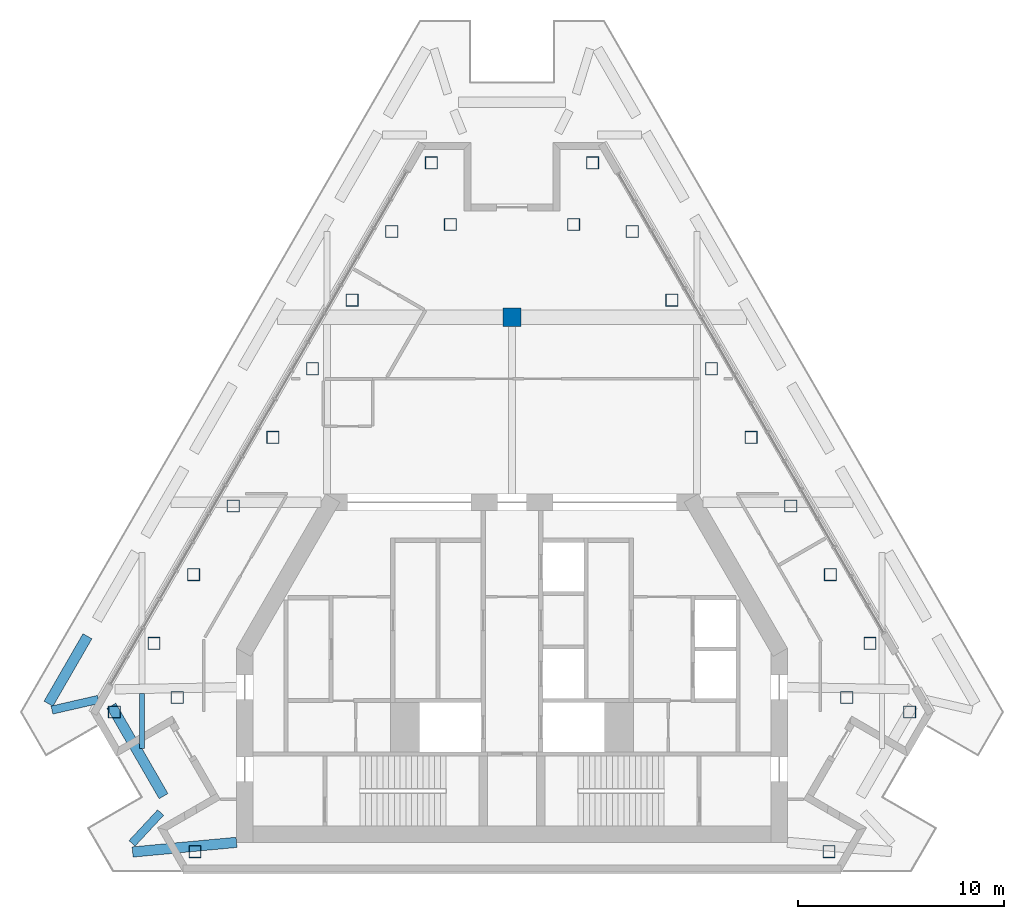
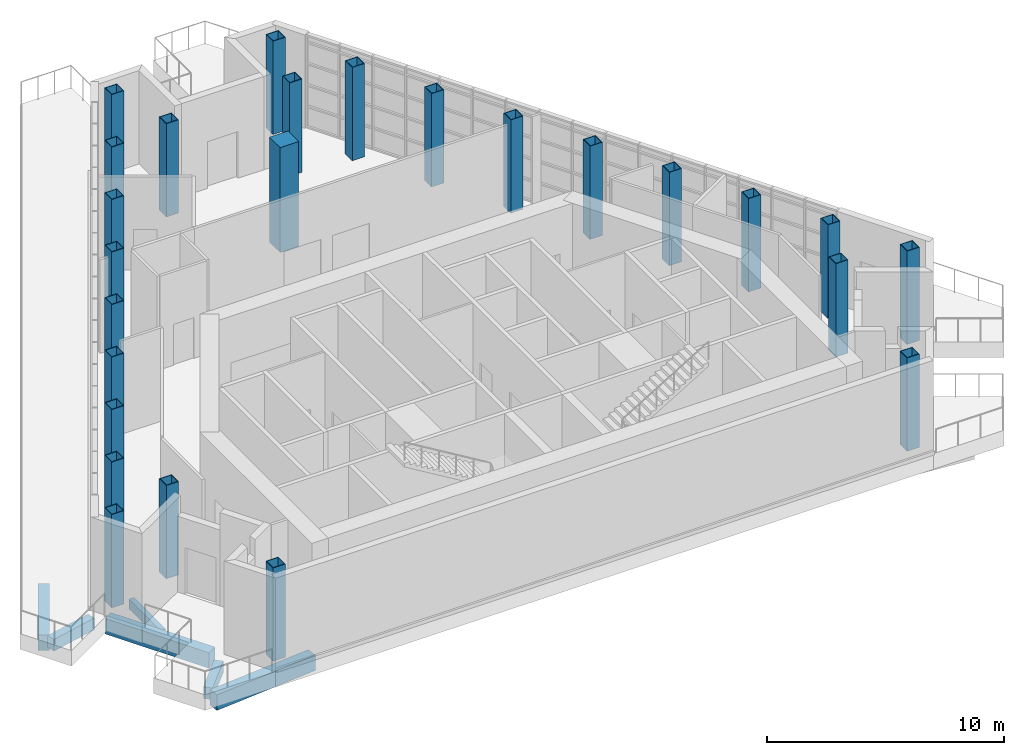
# One storey, part 1 of 15: 25 columns, 6 beams.
"""IFC4 building model written with IfcOpenShell, lengths in metres."""

from ifc_helpers import new_model, si_unit, direction, frame, origin, origin_2d, place, context, subcontext, project, spatial, rectangle, hollow_rectangle, extrude, material, material_profile, profile_set, type_object, element, save


model = new_model("IFC4")

# Units and contexts
model_context = context("Model", 3, precision=1e-05, world=origin(), true_north=direction((0.0, 1.0)))
body_context = subcontext(model_context, "Body", "Model", "MODEL_VIEW")
ifc_project = project(units=[si_unit("LENGTHUNIT", "METRE"), si_unit("AREAUNIT", "SQUARE_METRE"), si_unit("VOLUMEUNIT", "CUBIC_METRE"), si_unit("PLANEANGLEUNIT", "RADIAN"), si_unit("MASSUNIT", "GRAM", prefix="KILO")], contexts=[model_context])

# Site, building, storey
site_placement = place(None, origin())
site = spatial("IfcSite", under=ifc_project, at=site_placement, CompositionType="ELEMENT")
building_placement = place(site_placement, origin())
building = spatial("IfcBuilding", under=site, at=building_placement, Name="Fogline Exchange Tower", CompositionType="ELEMENT")
storey_placement = place(building_placement, frame((0.0, 0.0, 344.699951171875)))
storey = spatial("IfcBuildingStorey", under=building, at=storey_placement, Name="L78", CompositionType="ELEMENT", Elevation=344.699951171875)

# Columns
ifc_material_1 = material(Name="Concrete C60", Category="concrete")
ifc_material_profile_1 = material_profile(ifc_material_1, rectangle(XDim=0.89990234375, YDim=0.89990234375, at=origin_2d()), Name="RC 900x900")
ifc_profile_set_1 = profile_set([ifc_material_profile_1], Name="Concrete C60")
column_type_1 = type_object("IfcColumnType", Name="C06", PredefinedType="COLUMN", material=ifc_profile_set_1)
column_placement = place(storey_placement, frame((0.0, 27.0, 0.0), z_axis=(0.0, 0.0, 1.0), x_axis=(1.0, 0.0, 0.0)))
element("IfcColumn", 1, at=column_placement, inside=storey, type_object=column_type_1, Name="IC-0-27", PredefinedType="COLUMN", context=body_context, shape_type="SweptSolid", body=[
    extrude(rectangle(XDim=0.89990234375, YDim=0.89990234375, at=origin_2d()), origin(), (0.0, 0.0, 1.0), 5.400146484375),
])
ifc_material_2 = material(Name="Steel Q355B", Category="steel")
ifc_material_profile_2 = material_profile(ifc_material_2, hollow_rectangle(XDim=0.60009765625, YDim=0.60009765625, WallThickness=0.030029296875, at=origin_2d()), Name="BOX600X600X30")
ifc_profile_set_2 = profile_set([ifc_material_profile_2], Name="Steel Q355B")
column_type_2 = type_object("IfcColumnType", Name="C08", PredefinedType="COLUMN", material=ifc_profile_set_2)
for number, where, z_axis, x_axis, name in (
    (2, (-19.34521484375, 7.794189453125, 0.0), (0.0, 0.0, 1.0), (1.0, 0.0, 0.0), "SW-a"),
    (3, (-16.285888671875, 8.4951171875, 0.0), (0.0, 0.0, 1.0), (1.0, 0.0, 0.0), "SW-p4"),
    (4, (-15.422607421875, 1.0, 0.0), (0.0, 0.0, 1.0), (1.0, 0.0, 0.0), "SW-b"),
    (5, (15.422607421875, 1.0, 0.0), (0.0, 0.0, 1.0), (1.0, 0.0, 0.0), "SE-a"),
    (6, (16.285888671875, 8.4951171875, 0.0), (0.0, 0.0, 1.0), (1.0, 0.0, 0.0), "SE-p3"),
    (7, (19.34521484375, 7.794189453125, 0.0), (0.0, 0.0, 1.0), (1.0, 0.0, 0.0), "SE-b"),
    (8, (17.41748046875, 11.13330078125, 0.0), (0.0, 0.0, 1.0), (1.0, 0.0, 0.0), "E1"),
    (9, (15.489501953125, 14.472412109375, 0.0), (0.0, 0.0, 1.0), (1.0, 0.0, 0.0), "E2"),
    (10, (13.561767578125, 17.8115234375, 0.0), (0.0, 0.0, 1.0), (1.0, 0.0, 0.0), "E3"),
    (11, (11.634033203125, 21.150634765625, 0.0), (0.0, 0.0, 1.0), (1.0, 0.0, 0.0), "E4"),
    (12, (9.7060546875, 24.48974609375, 0.0), (0.0, 0.0, 1.0), (1.0, 0.0, 0.0), "E5"),
    (13, (7.7783203125, 27.828857421875, 0.0), (0.0, 0.0, 1.0), (1.0, 0.0, 0.0), "E6"),
    (14, (5.8505859375, 31.16796875, 0.0), (0.0, 0.0, 1.0), (1.0, 0.0, 0.0), "E7"),
    (15, (3.922607421875, 34.507080078125, 0.0), (0.0, 0.0, 1.0), (1.0, 0.0, 0.0), "N-a"),
    (16, (3.0, 31.507080078125, 0.0), (0.0, 0.0, 1.0), (1.0, 0.0, 0.0), "N-p4"),
    (17, (-3.0, 31.507080078125, 0.0), (0.0, 0.0, 1.0), (1.0, 0.0, 0.0), "N-p3"),
    (18, (-3.922607421875, 34.507080078125, 0.0), (0.0, 0.0, 1.0), (1.0, 0.0, 0.0), "N-b"),
    (19, (-5.8505859375, 31.16796875, 0.0), (0.0, 0.0, 1.0), (1.0, 0.0, 0.0), "W1"),
    (20, (-7.7783203125, 27.828857421875, 0.0), (0.0, 0.0, 1.0), (1.0, 0.0, 0.0), "W2"),
    (21, (-9.7060546875, 24.48974609375, 0.0), (0.0, 0.0, 1.0), (1.0, 0.0, 0.0), "W3"),
    (22, (-11.634033203125, 21.150634765625, 0.0), (0.0, 0.0, 1.0), (1.0, 0.0, 0.0), "W4"),
    (23, (-13.561767578125, 17.8115234375, 0.0), (0.0, 0.0, 1.0), (1.0, 0.0, 0.0), "W5"),
    (24, (-15.489501953125, 14.472412109375, 0.0), (0.0, 0.0, 1.0), (1.0, 0.0, 0.0), "W6"),
    (25, (-17.41748046875, 11.13330078125, 0.0), (0.0, 0.0, 1.0), (1.0, 0.0, 0.0), "W7"),
):
    element("IfcColumn", number, at=place(storey_placement, frame(where, z_axis=z_axis, x_axis=x_axis)), inside=storey, type_object=column_type_2, Name=name, PredefinedType="COLUMN", context=body_context, shape_type="SweptSolid", body=[
        extrude(hollow_rectangle(XDim=0.60009765625, YDim=0.60009765625, WallThickness=0.030029296875, at=origin_2d()), origin(), (0.0, 0.0, 1.0), 4.800048828125),
    ])

# Beams
ifc_material_3 = material(Name="Concrete C40", Category="concrete")
ifc_material_profile_3 = material_profile(ifc_material_3, rectangle(XDim=0.25, YDim=0.5, at=origin_2d()), Name="RC 250x500")
ifc_profile_set_3 = profile_set([ifc_material_profile_3], Name="Concrete C40")
beam_type_1 = type_object("IfcBeamType", Name="B08", PredefinedType="BEAM", material=ifc_profile_set_3)
beam_1_placement = place(storey_placement, frame((-18.0, 6.014404296875, -1.050048828125), z_axis=(0.0, 1.0, 0.0), x_axis=(-1.0, 0.0, 0.0)))
element("IfcBeam", 26, at=beam_1_placement, inside=storey, type_object=beam_type_1, Name="SB001", PredefinedType="BEAM", context=body_context, shape_type="SweptSolid", body=[
    extrude(rectangle(XDim=0.25, YDim=0.5, at=origin_2d()), origin(), (0.0, 0.0, 1.0), 2.67919921875),
])
ifc_material_profile_4 = material_profile(ifc_material_3, rectangle(XDim=0.5, YDim=0.800048828125, at=origin_2d()), Name="RC 500x800")
ifc_profile_set_4 = profile_set([ifc_material_profile_4], Name="Concrete C40")
beam_type_2 = type_object("IfcBeamType", Name="B10", PredefinedType="BEAM", material=ifc_profile_set_4)
beam_2_placement = place(storey_placement, frame((-19.489990234375, 8.09521484375, -1.199951171875), z_axis=(0.499987508774, -0.866032615477, 0.0), x_axis=(0.866032615477, 0.499987508774, 0.0)))
element("IfcBeam", 27, at=beam_2_placement, inside=storey, type_object=beam_type_2, Name="RB002", PredefinedType="BEAM", context=body_context, shape_type="SweptSolid", body=[
    extrude(rectangle(XDim=0.5, YDim=0.800048828125, at=origin_2d()), origin(), (0.0, 0.0, 1.0), 5.076416015625),
])
beam_3_placement = place(storey_placement, frame((-18.457763671875, 0.981689453125, -1.199951171875), z_axis=(0.995741736268, 0.092186737952, 0.0), x_axis=(-0.092186737952, 0.995741736268, 0.0)))
element("IfcBeam", 28, at=beam_3_placement, inside=storey, type_object=beam_type_2, Name="RB004", PredefinedType="BEAM", context=body_context, shape_type="SweptSolid", body=[
    extrude(rectangle(XDim=0.5, YDim=0.800048828125, at=origin_2d()), origin(), (0.0, 0.0, 1.0), 5.07958984375),
])
beam_4_placement = place(storey_placement, frame((-20.654052734375, 11.47705078125, -1.199951171875), z_axis=(-0.499969613651, -0.86604294664, 0.0), x_axis=(0.86604294664, -0.499969613651, 0.0)))
element("IfcBeam", 29, at=beam_4_placement, inside=storey, type_object=beam_type_2, Name="RB027", PredefinedType="BEAM", context=body_context, shape_type="SweptSolid", body=[
    extrude(rectangle(XDim=0.5, YDim=0.800048828125, at=origin_2d()), origin(), (0.0, 0.0, 1.0), 3.790771484375),
])
ifc_material_profile_5 = material_profile(ifc_material_3, rectangle(XDim=0.39990234375, YDim=0.60009765625, at=origin_2d()), Name="RC 400x600")
ifc_profile_set_5 = profile_set([ifc_material_profile_5], Name="Concrete C40")
beam_type_3 = type_object("IfcBeamType", Name="B11", PredefinedType="BEAM", material=ifc_profile_set_5)
beam_5_placement = place(storey_placement, frame((-22.38037109375, 7.885986328125, -1.099853515625), z_axis=(0.974753812703, 0.223282342834, 0.0), x_axis=(-0.223282342834, 0.974753812703, 0.0)))
element("IfcBeam", 30, at=beam_5_placement, inside=storey, type_object=beam_type_3, Name="RB001", PredefinedType="BEAM", context=body_context, shape_type="SweptSolid", body=[
    extrude(rectangle(XDim=0.39990234375, YDim=0.60009765625, at=origin_2d()), origin(), (0.0, 0.0, 1.0), 2.318115234375),
])
beam_6_placement = place(storey_placement, frame((-17.0927734375, 2.89892578125, -1.099853515625), z_axis=(-0.680743909802, -0.732521487239, 0.0), x_axis=(0.732521487239, -0.680743909802, 0.0)))
element("IfcBeam", 31, at=beam_6_placement, inside=storey, type_object=beam_type_3, Name="RB003", PredefinedType="BEAM", context=body_context, shape_type="SweptSolid", body=[
    extrude(rectangle(XDim=0.39990234375, YDim=0.60009765625, at=origin_2d()), origin(), (0.0, 0.0, 1.0), 2.04638671875),
])

save(model, "model.ifc")
